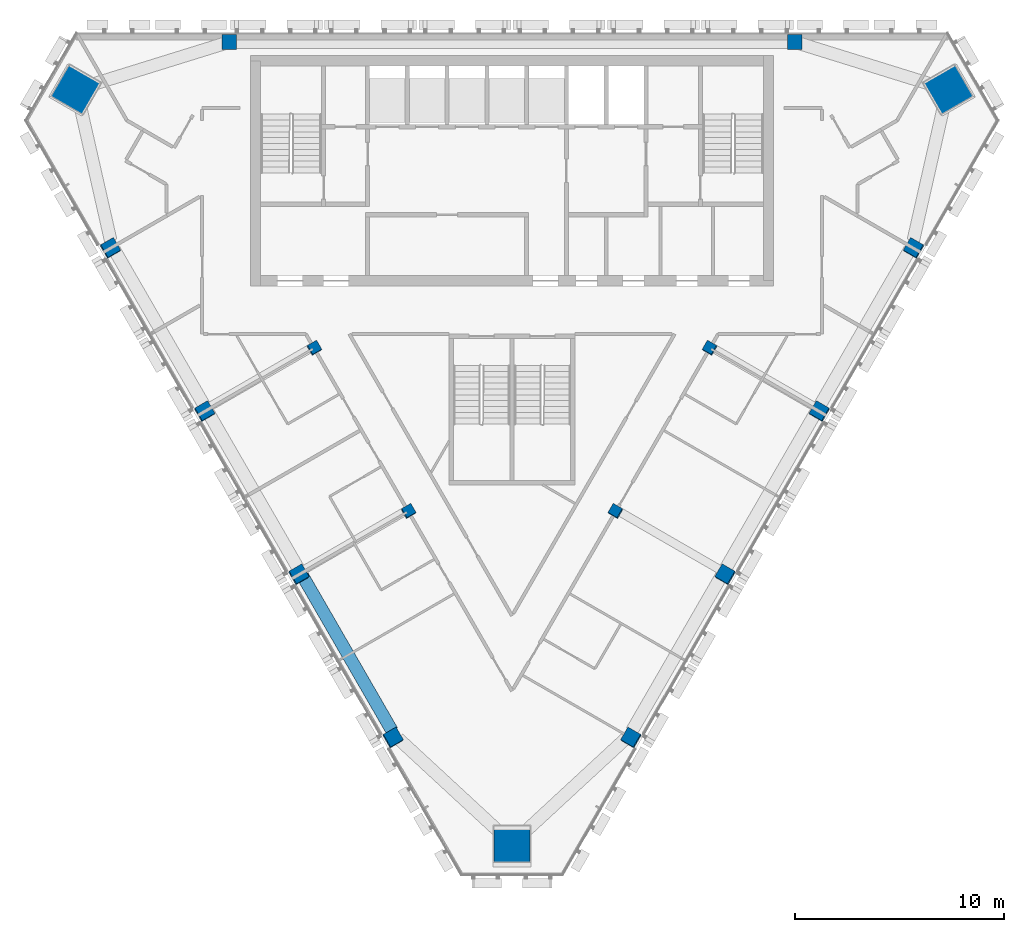
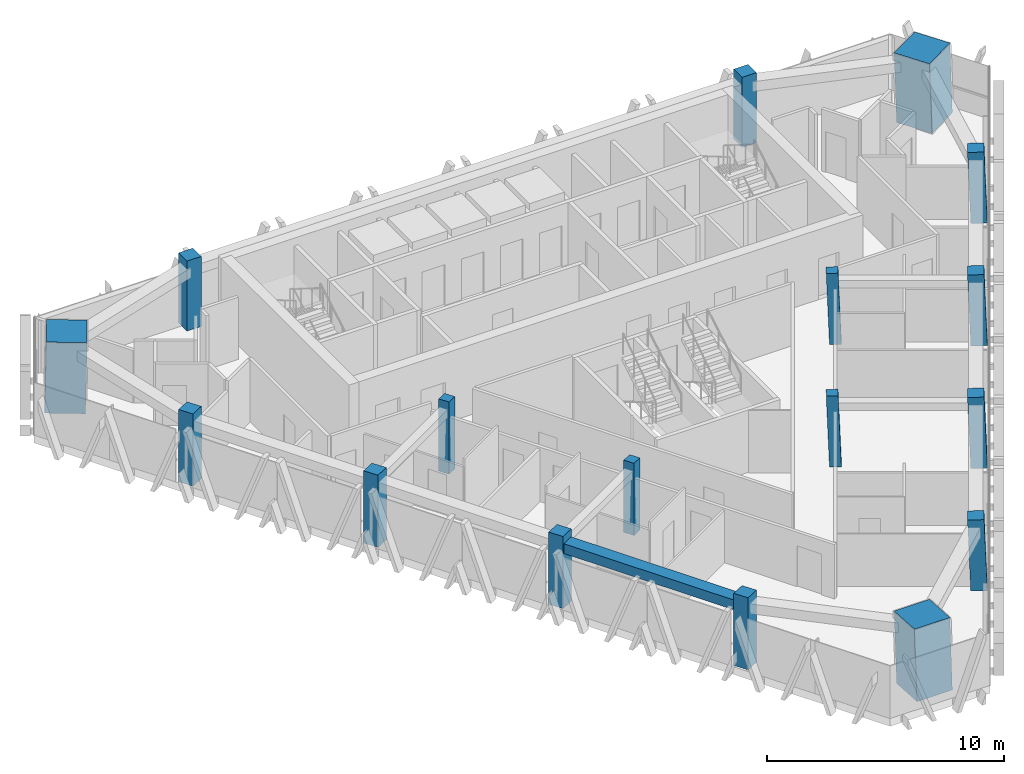
# One storey, part 1 of 14: 17 columns, 1 beam.
"""IFC4 building model written with IfcOpenShell, lengths in metres."""

from ifc_helpers import new_model, si_unit, direction, frame, origin, origin_2d, place, context, subcontext, project, spatial, rectangle, extrude, material, material_profile, profile_set, type_object, element, save


model = new_model("IFC4")

# Units and contexts
model_context = context("Model", 3, precision=1e-05, world=origin(), true_north=direction((0.0, 1.0)))
body_context = subcontext(model_context, "Body", "Model", "MODEL_VIEW")
ifc_project = project(units=[si_unit("LENGTHUNIT", "METRE"), si_unit("AREAUNIT", "SQUARE_METRE"), si_unit("VOLUMEUNIT", "CUBIC_METRE"), si_unit("PLANEANGLEUNIT", "RADIAN"), si_unit("MASSUNIT", "GRAM", prefix="KILO")], contexts=[model_context])

# Site, building, storey
site_placement = place(None, origin())
site = spatial("IfcSite", under=ifc_project, at=site_placement, CompositionType="ELEMENT")
building_placement = place(site_placement, origin())
building = spatial("IfcBuilding", under=site, at=building_placement, Name="Altiplano Prism Tower", CompositionType="ELEMENT")
storey_placement = place(building_placement, frame((0.0, 0.0, 268.0)))
storey = spatial("IfcBuildingStorey", under=building, at=storey_placement, Name="L69", CompositionType="ELEMENT", Elevation=268.0)

# Columns
ifc_material_1 = material(Name="Concrete C60/75", Category="concrete")
ifc_material_profile_1 = material_profile(ifc_material_1, rectangle(XDim=0.5, YDim=0.5, at=origin_2d()), Name="Inner column 500")
ifc_profile_set_1 = profile_set([ifc_material_profile_1], Name="Concrete C60/75")
column_type_1 = type_object("IfcColumnType", Name="Inner column 500", PredefinedType="COLUMN", material=ifc_profile_set_1)
for number, where, z_axis, x_axis, name in (
    (1, (75.547119140625, 89.92138671875, -0.01513671875), (0.02222134892, 0.038480872521, 0.999012229206), (-0.865642107509, -0.499182153693, 0.038482712231), "Inner column I12 L69"),
    (2, (80.047119140625, 82.127197265625, -0.01513671875), (0.022221406801, 0.038413224561, 0.999014831351), (-0.866021388936, -0.498527757451, 0.038432134412), "Inner column I13 L69"),
    (3, (89.952880859375, 82.127197265625, -0.01513671875), (-0.022221406801, 0.038413224561, 0.999014831351), (-0.499512925744, -0.866022227907, 0.022188685988), "Inner column I22 L69"),
    (4, (94.452880859375, 89.92138671875, -0.01513671875), (-0.02222134892, 0.038480872521, 0.999012229206), (-0.500169924484, -0.865642189293, 0.022218162776), "Inner column I23 L69"),
):
    element("IfcColumn", number, at=place(storey_placement, frame(where, z_axis=z_axis, x_axis=x_axis)), inside=storey, type_object=column_type_1, Name=name, PredefinedType="COLUMN", context=body_context, shape_type="SweptSolid", body=[
        extrude(rectangle(XDim=0.5, YDim=0.5, at=origin_2d()), origin(), (0.0, 0.0, 1.0), 3.603759765625),
    ])
ifc_material_2 = material(Name="Concrete C70/85", Category="concrete")
ifc_material_profile_2 = material_profile(ifc_material_2, rectangle(XDim=1.719970703125, YDim=1.719970703125, at=origin_2d()), Name="Mega column infill 1800")
ifc_profile_set_2 = profile_set([ifc_material_profile_2], Name="Concrete C70/85")
column_type_2 = type_object("IfcColumnType", Name="Mega column infill 1800", PredefinedType="COLUMN", material=ifc_profile_set_2)
column_1_placement = place(storey_placement, frame((64.097900390625, 102.2509765625, 0.0), z_axis=(0.028401796786, 0.009286506348, 0.999553449666), x_axis=(-0.866207749735, 0.49928465528, 0.019974165832)))
element("IfcColumn", 5, at=column_1_placement, inside=storey, type_object=column_type_2, Name="Mega column M0 L69", PredefinedType="COLUMN", context=body_context, shape_type="SweptSolid", body=[
    extrude(rectangle(XDim=1.719970703125, YDim=1.719970703125, at=origin_2d()), origin(), (0.0, 0.0, 1.0), 3.601806640625),
])
column_2_placement = place(storey_placement, frame((85.0, 66.047607421875, 0.0), z_axis=(0.0, 0.058356907999, 0.998295783467), x_axis=(-1.0, 0.0, 0.0)))
element("IfcColumn", 6, at=column_2_placement, inside=storey, type_object=column_type_2, Name="Mega column M1 L69", PredefinedType="COLUMN", context=body_context, shape_type="SweptSolid", body=[
    extrude(rectangle(XDim=1.719970703125, YDim=1.719970703125, at=origin_2d()), origin(), (0.0, 0.0, 1.0), 3.606201171875),
])
column_3_placement = place(storey_placement, frame((105.902099609375, 102.2509765625, 0.0), z_axis=(-0.028401796786, 0.009286506348, 0.999553449666), x_axis=(0.498876209332, -0.866388246574, 0.022224625084)))
element("IfcColumn", 7, at=column_3_placement, inside=storey, type_object=column_type_2, Name="Mega column M2 L69", PredefinedType="COLUMN", context=body_context, shape_type="SweptSolid", body=[
    extrude(rectangle(XDim=1.719970703125, YDim=1.719970703125, at=origin_2d()), origin(), (0.0, 0.0, 1.0), 3.601806640625),
])
ifc_material_profile_3 = material_profile(ifc_material_1, rectangle(XDim=0.699951171875, YDim=0.699951171875, at=origin_2d()), Name="Perimeter column 700")
ifc_profile_set_3 = profile_set([ifc_material_profile_3], Name="Concrete C60/75")
column_type_3 = type_object("IfcColumnType", Name="Perimeter column 700", PredefinedType="COLUMN", material=ifc_profile_set_3)
for number, where, z_axis, x_axis, name in (
    (8, (98.5, 104.550048828125, 0.0), (0.0, 0.0, 1.0), (1.0, 0.0, 0.0), "Perimeter column P01 L69"),
    (9, (71.5, 104.550048828125, 0.0), (0.0, 0.0, 1.0), (1.0, 0.0, 0.0), "Perimeter column P04 L69"),
):
    element("IfcColumn", number, at=place(storey_placement, frame(where, z_axis=z_axis, x_axis=x_axis)), inside=storey, type_object=column_type_3, Name=name, PredefinedType="COLUMN", context=body_context, shape_type="SweptSolid", body=[
        extrude(rectangle(XDim=0.699951171875, YDim=0.699951171875, at=origin_2d()), origin(), (0.0, 0.0, 1.0), 3.60009765625),
    ])
for number, where, z_axis, x_axis, name in (
    (10, (65.8076171875, 94.6904296875, -0.021240234375), (0.02215369191, 0.038413282303, 0.999016333038), (-0.865364679312, -0.499669092789, 0.038402727909), "Perimeter column P11 L69"),
    (11, (70.3076171875, 86.896240234375, -0.021240234375), (0.02215369191, 0.038413282303, 0.999016333038), (-0.865364679312, -0.499669092789, 0.038402727909), "Perimeter column P12 L69"),
    (12, (74.8076171875, 79.10205078125, -0.021240234375), (0.02215369191, 0.038413282303, 0.999016333038), (-0.865362005459, -0.499673714439, 0.038402846323), "Perimeter column P13 L69"),
    (13, (79.3076171875, 71.3076171875, -0.021240234375), (0.022153634206, 0.038480930364, 0.999013730882), (-0.864979746314, -0.500331250733, 0.038453582494), "Perimeter column P14 L69"),
    (14, (90.6923828125, 71.3076171875, -0.021240234375), (-0.022153634206, 0.038480930364, 0.999013730882), (-0.501317519101, -0.864978530103, 0.022201069873), "Perimeter column P21 L69"),
    (15, (95.1923828125, 79.10205078125, -0.021240234375), (-0.02215369191, 0.038413282303, 0.999016333038), (-0.500657381292, -0.865361542271, 0.022171777484), "Perimeter column P22 L69"),
    (16, (99.6923828125, 86.896240234375, -0.021240234375), (-0.02215369191, 0.038413282303, 0.999016333038), (-0.500652759639, -0.865364210869, 0.022171982582), "Perimeter column P23 L69"),
    (17, (104.1923828125, 94.6904296875, -0.021240234375), (-0.02215369191, 0.038413282303, 0.999016333038), (-0.500652759639, -0.865364210869, 0.022171982582), "Perimeter column P24 L69"),
):
    element("IfcColumn", number, at=place(storey_placement, frame(where, z_axis=z_axis, x_axis=x_axis)), inside=storey, type_object=column_type_3, Name=name, PredefinedType="COLUMN", context=body_context, shape_type="SweptSolid", body=[
        extrude(rectangle(XDim=0.699951171875, YDim=0.699951171875, at=origin_2d()), origin(), (0.0, 0.0, 1.0), 3.603759765625),
    ])

# Beam
ifc_material_profile_4 = material_profile(ifc_material_1, rectangle(XDim=0.60009765625, YDim=0.5, at=origin_2d()), Name="Edge beam 600x500")
ifc_profile_set_4 = profile_set([ifc_material_profile_4], Name="Concrete C60/75")
beam_type = type_object("IfcBeamType", Name="Edge beam 600x500", PredefinedType="SPANDREL", material=ifc_profile_set_4)
beam_placement = place(storey_placement, frame((75.0029296875, 79.042236328125, 2.949951171875), z_axis=(0.499994660107, -0.866028486751, 0.0), x_axis=(0.866028486751, 0.499994660107, 0.0)))
element("IfcBeam", 18, at=beam_placement, inside=storey, type_object=beam_type, Name="Edge beam P13-P14 L70", PredefinedType="SPANDREL", context=body_context, shape_type="SweptSolid", body=[
    extrude(rectangle(XDim=0.60009765625, YDim=0.5, at=origin_2d()), origin(), (0.0, 0.0, 1.0), 8.5400390625),
])

save(model, "model.ifc")
